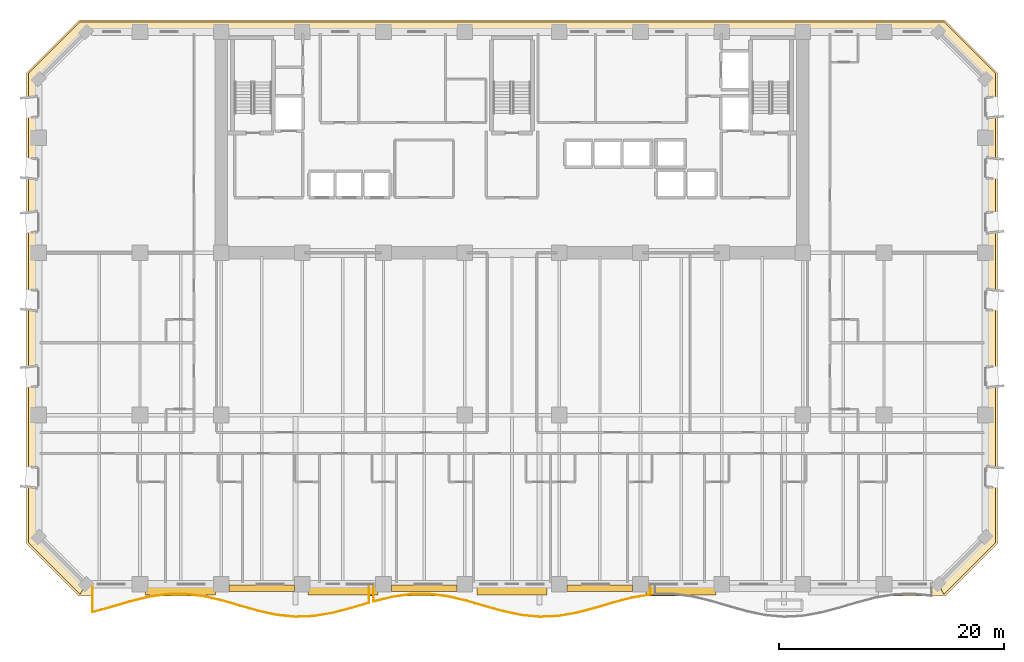
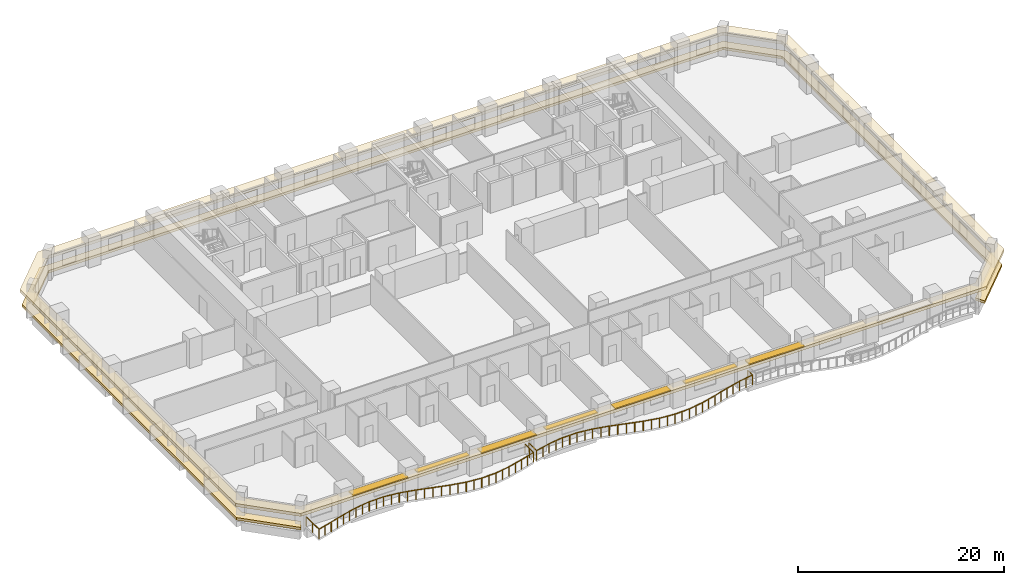
# One storey, part 12 of 15: 7 shading devices, 2 coverings, 2 railings.
"""IFC4 building model written with IfcOpenShell, lengths in metres."""

from ifc_helpers import new_model, si_unit, direction, frame, origin, origin_2d, place, context, subcontext, project, spatial, polyline, rectangle, outline, extrude, material, layer, layer_set, type_object, element, save


model = new_model("IFC4")

# Units and contexts
model_context = context("Model", 3, precision=1e-05, world=origin(), true_north=direction((0.0, 1.0)))
body_context = subcontext(model_context, "Body", "Model", "MODEL_VIEW")
ifc_project = project(units=[si_unit("LENGTHUNIT", "METRE"), si_unit("AREAUNIT", "SQUARE_METRE"), si_unit("VOLUMEUNIT", "CUBIC_METRE"), si_unit("PLANEANGLEUNIT", "RADIAN"), si_unit("MASSUNIT", "GRAM", prefix="KILO")], contexts=[model_context])

# Site, building, storey
site_placement = place(None, origin())
site = spatial("IfcSite", under=ifc_project, at=site_placement, CompositionType="ELEMENT")
building_placement = place(site_placement, origin())
building = spatial("IfcBuilding", under=site, at=building_placement, Name="Kaelvorn Grand Hotel", CompositionType="ELEMENT")
storey_placement = place(building_placement, frame((0.0, 0.0, 57.64990234375)))
storey = spatial("IfcBuildingStorey", under=building, at=storey_placement, Name="L12", CompositionType="ELEMENT", Elevation=57.64990234375)

# Coverings
ifc_material_1 = material(Name="Precast concrete C45/55", Category="concrete")
ifc_layer_1 = layer(ifc_material_1, 0.260009765625)
ifc_layer_set_1 = layer_set([ifc_layer_1], Name="Precast concrete C45/55")
covering_type_1 = type_object("IfcCoveringType", Name="COV-BAND-STREAMLINE-HEAD", PredefinedType="CLADDING", material=ifc_layer_set_1)
covering_1_placement = place(storey_placement, frame((0.0, 0.0, 2.18017578125)))
element("IfcCovering", 1, at=covering_1_placement, inside=storey, type_object=covering_type_1, Name="L12 Streamline Moderne Wraparound Horizontal Eyebrow Band", PredefinedType="CLADDING", context=body_context, shape_type="SweptSolid", body=[
    extrude(outline(polyline([(3.590087890625, -1.050048828125), (80.409912109375, -1.050048828125), (85.050048828125, 3.590087890625), (85.050048828125, 45.409912109375), (80.409912109375, 50.050048828125), (3.590087890625, 50.050048828125), (-1.050048828125, 45.409912109375), (-1.050048828125, 3.590087890625), (3.590087890625, -1.050048828125)]), holes=[polyline([(4.219970703125, 0.030029296875), (79.780029296875, 0.030029296875), (83.969970703125, 4.219970703125), (83.969970703125, 44.780029296875), (79.780029296875, 48.969970703125), (4.219970703125, 48.969970703125), (0.030029296875, 44.780029296875), (0.030029296875, 4.219970703125), (4.219970703125, 0.030029296875)])]), origin(), (0.0, 0.0, 1.0), 0.35986328125),
])
ifc_layer_2 = layer(ifc_material_1, 0.219970703125)
ifc_layer_set_2 = layer_set([ifc_layer_2], Name="Precast concrete C45/55")
covering_type_2 = type_object("IfcCoveringType", Name="COV-BAND-STREAMLINE-SILL", PredefinedType="CLADDING", material=ifc_layer_set_2)
covering_2_placement = place(storey_placement, frame((0.0, 0.0, 0.4501953125)))
element("IfcCovering", 2, at=covering_2_placement, inside=storey, type_object=covering_type_2, Name="L12 Streamline Moderne Wraparound Horizontal Sill Spandrel Band", PredefinedType="CLADDING", context=body_context, shape_type="SweptSolid", body=[
    extrude(outline(polyline([(80.3154296875, -0.8798828125), (84.8798828125, 3.6845703125), (84.8798828125, 45.3154296875), (80.3154296875, 49.8798828125), (3.6845703125, 49.8798828125), (-0.8798828125, 45.3154296875), (-0.8798828125, 3.6845703125), (3.6845703125, -0.8798828125), (4.217529296875, 0.030029296875), (0.030029296875, 4.217529296875), (0.030029296875, 44.782470703125), (4.217529296875, 48.969970703125), (79.782470703125, 48.969970703125), (83.969970703125, 44.782470703125), (83.969970703125, 4.217529296875), (79.782470703125, 0.030029296875), (80.3154296875, -0.8798828125)])), origin(), (0.0, 0.0, 1.0), 0.2998046875),
])

# Railings
ifc_material_2 = material(Name="Stainless Steel", Category="steel")
railing_type = type_object("IfcRailingType", Name="RL-BALC-1150", PredefinedType="BALUSTRADE", material=ifc_material_2)
railing_1_placement = place(storey_placement, frame((4.800048828125, 0.0, 0.0)))
element("IfcRailing", 3, at=railing_1_placement, inside=storey, type_object=railing_type, Name="L12 Scalloped Wave Balcony Balustrade GR1-1", PredefinedType="BALUSTRADE", context=body_context, shape_type="SweptSolid", body=[
    extrude(rectangle(XDim=0.048095703125, YDim=0.048095703125, at=origin_2d()), frame((0.0, 0.0, 1.1259765625), z_axis=(0.0, -1.0, 0.0), x_axis=(1.0, 0.0, 0.0)), (0.0, 0.0, 1.0), 2.4775390625),
    extrude(rectangle(XDim=0.048095703125, YDim=0.048095703125, at=origin_2d()), frame((0.0, -2.4775390625, 1.1259765625), z_axis=(0.964654076127, 0.263519474446, 0.0), x_axis=(-0.263519474446, 0.964654076127, 0.0)), (0.0, 0.0, 1.0), 1.6953125),
    extrude(rectangle(XDim=0.048095703125, YDim=0.048095703125, at=origin_2d()), frame((1.635498046875, -2.03076171875, 1.1259765625), z_axis=(0.959338132824, 0.282259361068, 0.0), x_axis=(-0.282259361068, 0.959338132824, 0.0)), (0.0, 0.0, 1.0), 1.704833984375),
    extrude(rectangle(XDim=0.048095703125, YDim=0.048095703125, at=origin_2d()), frame((3.27099609375, -1.549560546875, 1.1259765625), z_axis=(0.970108421797, 0.242671897751, 0.0), x_axis=(-0.242671897751, 0.970108421797, 0.0)), (0.0, 0.0, 1.0), 1.68603515625),
    extrude(rectangle(XDim=0.048095703125, YDim=0.048095703125, at=origin_2d()), frame((4.90673828125, -1.140380859375, 1.1259765625), z_axis=(0.988889745087, 0.148650839424, 0.0), x_axis=(-0.148650839424, 0.988889745087, 0.0)), (0.0, 0.0, 1.0), 1.65380859375),
    extrude(rectangle(XDim=0.048095703125, YDim=0.048095703125, at=origin_2d()), frame((6.542236328125, -0.89453125, 1.1259765625), z_axis=(0.999852684056, 0.01716421237, 0.0), x_axis=(-0.01716421237, 0.999852684056, 0.0)), (0.0, 0.0, 1.0), 1.6357421875),
    extrude(rectangle(XDim=0.048095703125, YDim=0.048095703125, at=origin_2d()), frame((8.177734375, -0.866455078125, 1.1259765625), z_axis=(0.992892259483, -0.119016641941, 0.0), x_axis=(0.119016641941, 0.992892259483, 0.0)), (0.0, 0.0, 1.0), 1.647216796875),
    extrude(rectangle(XDim=0.048095703125, YDim=0.048095703125, at=origin_2d()), frame((9.813232421875, -1.0625, 1.1259765625), z_axis=(0.974547877033, -0.22417947134, 0.0), x_axis=(0.22417947134, 0.974547877033, 0.0)), (0.0, 0.0, 1.0), 1.67822265625),
    extrude(rectangle(XDim=0.048095703125, YDim=0.048095703125, at=origin_2d()), frame((11.44873046875, -1.438720703125, 1.1259765625), z_axis=(0.960582401259, -0.277995414335, 0.0), x_axis=(0.277995414335, 0.960582401259, 0.0)), (0.0, 0.0, 1.0), 1.702880859375),
    extrude(rectangle(XDim=0.048095703125, YDim=0.048095703125, at=origin_2d()), frame((13.08447265625, -1.912109375, 1.1259765625), z_axis=(0.96186455439, -0.273526194374, 0.0), x_axis=(0.273526194374, 0.96186455439, 0.0)), (0.0, 0.0, 1.0), 1.700439453125),
    extrude(rectangle(XDim=0.048095703125, YDim=0.048095703125, at=origin_2d()), frame((14.719970703125, -2.377197265625, 1.1259765625), z_axis=(0.977427196396, -0.211272515358, 0.0), x_axis=(0.211272515358, 0.977427196396, 0.0)), (0.0, 0.0, 1.0), 1.67333984375),
    extrude(rectangle(XDim=0.048095703125, YDim=0.048095703125, at=origin_2d()), frame((16.35546875, -2.730712890625, 1.1259765625), z_axis=(0.995050417391, -0.099371358297, 0.0), x_axis=(0.099371358297, 0.995050417391, 0.0)), (0.0, 0.0, 1.0), 1.6435546875),
    extrude(rectangle(XDim=0.048095703125, YDim=0.048095703125, at=origin_2d()), frame((17.990966796875, -2.89404296875, 1.1259765625), z_axis=(0.999265134738, 0.03833002084, 0.0), x_axis=(-0.03833002084, 0.999265134738, 0.0)), (0.0, 0.0, 1.0), 1.636962890625),
    extrude(rectangle(XDim=0.048095703125, YDim=0.048095703125, at=origin_2d()), frame((19.626708984375, -2.831298828125, 1.1259765625), z_axis=(0.986118033534, 0.166045848907, 0.0), x_axis=(-0.166045848907, 0.986118033534, 0.0)), (0.0, 0.0, 1.0), 1.658447265625),
    extrude(rectangle(XDim=0.048095703125, YDim=0.048095703125, at=origin_2d()), frame((21.26220703125, -2.555908203125, 1.1259765625), z_axis=(0.96763721046, 0.252345455542, 0.0), x_axis=(-0.252345455542, 0.96763721046, 0.0)), (0.0, 0.0, 1.0), 1.690185546875),
    extrude(rectangle(XDim=0.048095703125, YDim=0.048095703125, at=origin_2d()), frame((22.897705078125, -2.12939453125, 1.1259765625), z_axis=(0.959027432838, 0.2833132243, 0.0), x_axis=(-0.2833132243, 0.959027432838, 0.0)), (0.0, 0.0, 1.0), 1.705322265625),
    extrude(rectangle(XDim=0.048095703125, YDim=0.048095703125, at=origin_2d()), frame((24.533203125, -1.646240234375, 1.1259765625), z_axis=(0.0, 1.0, 0.0), x_axis=(-1.0, 0.0, 0.0)), (0.0, 0.0, 1.0), 1.646240234375),
    extrude(rectangle(XDim=0.0419921875, YDim=0.0419921875, at=origin_2d()), origin(), (0.0, 0.0, 1.0), 1.101806640625),
    extrude(rectangle(XDim=0.0419921875, YDim=0.0419921875, at=origin_2d()), frame((0.0, -1.23876953125, 0.0)), (0.0, 0.0, 1.0), 1.101806640625),
    extrude(rectangle(XDim=0.0419921875, YDim=0.0419921875, at=origin_2d()), frame((0.0, -2.4775390625, 0.0)), (0.0, 0.0, 1.0), 1.101806640625),
    extrude(rectangle(XDim=0.0419921875, YDim=0.0419921875, at=origin_2d()), frame((0.81787109375, -2.254150390625, 0.0)), (0.0, 0.0, 1.0), 1.101806640625),
    extrude(rectangle(XDim=0.0419921875, YDim=0.0419921875, at=origin_2d()), frame((1.635498046875, -2.03076171875, 0.0)), (0.0, 0.0, 1.0), 1.101806640625),
    extrude(rectangle(XDim=0.0419921875, YDim=0.0419921875, at=origin_2d()), frame((2.453125, -1.7900390625, 0.0)), (0.0, 0.0, 1.0), 1.101806640625),
    extrude(rectangle(XDim=0.0419921875, YDim=0.0419921875, at=origin_2d()), frame((3.27099609375, -1.549560546875, 0.0)), (0.0, 0.0, 1.0), 1.101806640625),
    extrude(rectangle(XDim=0.0419921875, YDim=0.0419921875, at=origin_2d()), frame((4.0888671875, -1.344970703125, 0.0)), (0.0, 0.0, 1.0), 1.101806640625),
    extrude(rectangle(XDim=0.0419921875, YDim=0.0419921875, at=origin_2d()), frame((4.90673828125, -1.140380859375, 0.0)), (0.0, 0.0, 1.0), 1.101806640625),
    extrude(rectangle(XDim=0.0419921875, YDim=0.0419921875, at=origin_2d()), frame((5.724609375, -1.017578125, 0.0)), (0.0, 0.0, 1.0), 1.101806640625),
    extrude(rectangle(XDim=0.0419921875, YDim=0.0419921875, at=origin_2d()), frame((6.542236328125, -0.89453125, 0.0)), (0.0, 0.0, 1.0), 1.101806640625),
    extrude(rectangle(XDim=0.0419921875, YDim=0.0419921875, at=origin_2d()), frame((7.35986328125, -0.88037109375, 0.0)), (0.0, 0.0, 1.0), 1.101806640625),
    extrude(rectangle(XDim=0.0419921875, YDim=0.0419921875, at=origin_2d()), frame((8.177734375, -0.866455078125, 0.0)), (0.0, 0.0, 1.0), 1.101806640625),
    extrude(rectangle(XDim=0.0419921875, YDim=0.0419921875, at=origin_2d()), frame((8.99560546875, -0.96435546875, 0.0)), (0.0, 0.0, 1.0), 1.101806640625),
    extrude(rectangle(XDim=0.0419921875, YDim=0.0419921875, at=origin_2d()), frame((9.813232421875, -1.0625, 0.0)), (0.0, 0.0, 1.0), 1.101806640625),
    extrude(rectangle(XDim=0.0419921875, YDim=0.0419921875, at=origin_2d()), frame((10.630859375, -1.25048828125, 0.0)), (0.0, 0.0, 1.0), 1.101806640625),
    extrude(rectangle(XDim=0.0419921875, YDim=0.0419921875, at=origin_2d()), frame((11.44873046875, -1.438720703125, 0.0)), (0.0, 0.0, 1.0), 1.101806640625),
    extrude(rectangle(XDim=0.0419921875, YDim=0.0419921875, at=origin_2d()), frame((12.2666015625, -1.67529296875, 0.0)), (0.0, 0.0, 1.0), 1.101806640625),
    extrude(rectangle(XDim=0.0419921875, YDim=0.0419921875, at=origin_2d()), frame((13.08447265625, -1.912109375, 0.0)), (0.0, 0.0, 1.0), 1.101806640625),
    extrude(rectangle(XDim=0.0419921875, YDim=0.0419921875, at=origin_2d()), frame((13.90234375, -2.14453125, 0.0)), (0.0, 0.0, 1.0), 1.101806640625),
    extrude(rectangle(XDim=0.0419921875, YDim=0.0419921875, at=origin_2d()), frame((14.719970703125, -2.377197265625, 0.0)), (0.0, 0.0, 1.0), 1.101806640625),
    extrude(rectangle(XDim=0.0419921875, YDim=0.0419921875, at=origin_2d()), frame((15.53759765625, -2.553955078125, 0.0)), (0.0, 0.0, 1.0), 1.101806640625),
    extrude(rectangle(XDim=0.0419921875, YDim=0.0419921875, at=origin_2d()), frame((16.35546875, -2.730712890625, 0.0)), (0.0, 0.0, 1.0), 1.101806640625),
    extrude(rectangle(XDim=0.0419921875, YDim=0.0419921875, at=origin_2d()), frame((17.17333984375, -2.8125, 0.0)), (0.0, 0.0, 1.0), 1.101806640625),
    extrude(rectangle(XDim=0.0419921875, YDim=0.0419921875, at=origin_2d()), frame((17.990966796875, -2.89404296875, 0.0)), (0.0, 0.0, 1.0), 1.101806640625),
    extrude(rectangle(XDim=0.0419921875, YDim=0.0419921875, at=origin_2d()), frame((18.808837890625, -2.86279296875, 0.0)), (0.0, 0.0, 1.0), 1.101806640625),
    extrude(rectangle(XDim=0.0419921875, YDim=0.0419921875, at=origin_2d()), frame((19.626708984375, -2.831298828125, 0.0)), (0.0, 0.0, 1.0), 1.101806640625),
    extrude(rectangle(XDim=0.0419921875, YDim=0.0419921875, at=origin_2d()), frame((20.4443359375, -2.693603515625, 0.0)), (0.0, 0.0, 1.0), 1.101806640625),
    extrude(rectangle(XDim=0.0419921875, YDim=0.0419921875, at=origin_2d()), frame((21.26220703125, -2.555908203125, 0.0)), (0.0, 0.0, 1.0), 1.101806640625),
    extrude(rectangle(XDim=0.0419921875, YDim=0.0419921875, at=origin_2d()), frame((22.080078125, -2.3427734375, 0.0)), (0.0, 0.0, 1.0), 1.101806640625),
    extrude(rectangle(XDim=0.0419921875, YDim=0.0419921875, at=origin_2d()), frame((22.897705078125, -2.12939453125, 0.0)), (0.0, 0.0, 1.0), 1.101806640625),
    extrude(rectangle(XDim=0.0419921875, YDim=0.0419921875, at=origin_2d()), frame((23.71533203125, -1.8876953125, 0.0)), (0.0, 0.0, 1.0), 1.101806640625),
    extrude(rectangle(XDim=0.0419921875, YDim=0.0419921875, at=origin_2d()), frame((24.533203125, -1.646240234375, 0.0)), (0.0, 0.0, 1.0), 1.101806640625),
    extrude(rectangle(XDim=0.0419921875, YDim=0.0419921875, at=origin_2d()), frame((24.533203125, -0.8232421875, 0.0)), (0.0, 0.0, 1.0), 1.101806640625),
    extrude(rectangle(XDim=0.0419921875, YDim=0.0419921875, at=origin_2d()), frame((24.533203125, 0.0, 0.0)), (0.0, 0.0, 1.0), 1.101806640625),
])
railing_2_placement = place(storey_placement, frame((29.7333984375, 0.0, 0.0)))
element("IfcRailing", 4, at=railing_2_placement, inside=storey, type_object=railing_type, Name="L12 Scalloped Wave Balcony Balustrade GR1-2", PredefinedType="BALUSTRADE", context=body_context, shape_type="SweptSolid", body=[
    extrude(rectangle(XDim=0.048095703125, YDim=0.048095703125, at=origin_2d()), frame((0.0, 0.0, 1.1259765625), z_axis=(0.0, -1.0, 0.0), x_axis=(1.0, 0.0, 0.0)), (0.0, 0.0, 1.0), 1.531982421875),
    extrude(rectangle(XDim=0.048095703125, YDim=0.048095703125, at=origin_2d()), frame((0.0, -1.531982421875, 1.1259765625), z_axis=(0.970778455787, 0.239977477651, 0.0), x_axis=(-0.239977477651, 0.970778455787, 0.0)), (0.0, 0.0, 1.0), 1.684814453125),
    extrude(rectangle(XDim=0.048095703125, YDim=0.048095703125, at=origin_2d()), frame((1.635498046875, -1.127685546875, 1.1259765625), z_axis=(0.989552746823, 0.144171291372, 0.0), x_axis=(-0.144171291372, 0.989552746823, 0.0)), (0.0, 0.0, 1.0), 1.65283203125),
    extrude(rectangle(XDim=0.048095703125, YDim=0.048095703125, at=origin_2d()), frame((3.27099609375, -0.889404296875, 1.1259765625), z_axis=(0.999928700978, 0.011941229449, 0.0), x_axis=(-0.011941229449, 0.999928700978, 0.0)), (0.0, 0.0, 1.0), 1.635498046875),
    extrude(rectangle(XDim=0.048095703125, YDim=0.048095703125, at=origin_2d()), frame((4.906494140625, -0.869873046875, 1.1259765625), z_axis=(0.992305195112, -0.12381599151, 0.0), x_axis=(0.12381599151, 0.992305195112, 0.0)), (0.0, 0.0, 1.0), 1.6484375),
    extrude(rectangle(XDim=0.048095703125, YDim=0.048095703125, at=origin_2d()), frame((6.542236328125, -1.073974609375, 1.1259765625), z_axis=(0.973844426508, -0.227215829024, 0.0), x_axis=(0.227215829024, 0.973844426508, 0.0)), (0.0, 0.0, 1.0), 1.679443359375),
    extrude(rectangle(XDim=0.048095703125, YDim=0.048095703125, at=origin_2d()), frame((8.177734375, -1.45556640625, 1.1259765625), z_axis=(0.960302879925, -0.278959457282, 0.0), x_axis=(0.278959457282, 0.960302879925, 0.0)), (0.0, 0.0, 1.0), 1.703125),
    extrude(rectangle(XDim=0.048095703125, YDim=0.048095703125, at=origin_2d()), frame((9.813232421875, -1.9306640625, 1.1259765625), z_axis=(0.962241545122, -0.272197003733, 0.0), x_axis=(0.272197003733, 0.962241545122, 0.0)), (0.0, 0.0, 1.0), 1.69970703125),
    extrude(rectangle(XDim=0.048095703125, YDim=0.048095703125, at=origin_2d()), frame((11.44873046875, -2.393310546875, 1.1259765625), z_axis=(0.978181108295, -0.207753987627, 0.0), x_axis=(0.207753987627, 0.978181108295, 0.0)), (0.0, 0.0, 1.0), 1.672119140625),
    extrude(rectangle(XDim=0.048095703125, YDim=0.048095703125, at=origin_2d()), frame((13.08447265625, -2.74072265625, 1.1259765625), z_axis=(0.995523480824, -0.09451454453, 0.0), x_axis=(0.09451454453, 0.995523480824, 0.0)), (0.0, 0.0, 1.0), 1.642822265625),
    extrude(rectangle(XDim=0.048095703125, YDim=0.048095703125, at=origin_2d()), frame((14.719970703125, -2.89599609375, 1.1259765625), z_axis=(0.999044869462, 0.043696095948, 0.0), x_axis=(-0.043696095948, 0.999044869462, 0.0)), (0.0, 0.0, 1.0), 1.636962890625),
    extrude(rectangle(XDim=0.048095703125, YDim=0.048095703125, at=origin_2d()), frame((16.35546875, -2.824462890625, 1.1259765625), z_axis=(0.985410815118, 0.170192612792, 0.0), x_axis=(-0.170192612792, 0.985410815118, 0.0)), (0.0, 0.0, 1.0), 1.65966796875),
    extrude(rectangle(XDim=0.048095703125, YDim=0.048095703125, at=origin_2d()), frame((17.990966796875, -2.5419921875, 1.1259765625), z_axis=(0.967044616589, 0.254606970696, 0.0), x_axis=(-0.254606970696, 0.967044616589, 0.0)), (0.0, 0.0, 1.0), 1.69140625),
    extrude(rectangle(XDim=0.048095703125, YDim=0.048095703125, at=origin_2d()), frame((19.626708984375, -2.111328125, 1.1259765625), z_axis=(0.959066322629, 0.283181547419, 0.0), x_axis=(-0.283181547419, 0.959066322629, 0.0)), (0.0, 0.0, 1.0), 1.705322265625),
    extrude(rectangle(XDim=0.048095703125, YDim=0.048095703125, at=origin_2d()), frame((21.26220703125, -1.62841796875, 1.1259765625), z_axis=(0.967354524972, 0.253426957953, 0.0), x_axis=(-0.253426957953, 0.967354524972, 0.0)), (0.0, 0.0, 1.0), 1.690673828125),
    extrude(rectangle(XDim=0.048095703125, YDim=0.048095703125, at=origin_2d()), frame((22.897705078125, -1.199951171875, 1.1259765625), z_axis=(0.985827384416, 0.167762832995, 0.0), x_axis=(-0.167762832995, 0.985827384416, 0.0)), (0.0, 0.0, 1.0), 1.658935546875),
    extrude(rectangle(XDim=0.048095703125, YDim=0.048095703125, at=origin_2d()), frame((24.533203125, -0.921630859375, 1.1259765625), z_axis=(0.0, 1.0, 0.0), x_axis=(-1.0, 0.0, 0.0)), (0.0, 0.0, 1.0), 0.921630859375),
    extrude(rectangle(XDim=0.0419921875, YDim=0.0419921875, at=origin_2d()), origin(), (0.0, 0.0, 1.0), 1.101806640625),
    extrude(rectangle(XDim=0.0419921875, YDim=0.0419921875, at=origin_2d()), frame((0.0, -1.531982421875, 0.0)), (0.0, 0.0, 1.0), 1.101806640625),
    extrude(rectangle(XDim=0.0419921875, YDim=0.0419921875, at=origin_2d()), frame((0.81787109375, -1.329833984375, 0.0)), (0.0, 0.0, 1.0), 1.101806640625),
    extrude(rectangle(XDim=0.0419921875, YDim=0.0419921875, at=origin_2d()), frame((1.635498046875, -1.127685546875, 0.0)), (0.0, 0.0, 1.0), 1.101806640625),
    extrude(rectangle(XDim=0.0419921875, YDim=0.0419921875, at=origin_2d()), frame((2.453125, -1.008544921875, 0.0)), (0.0, 0.0, 1.0), 1.101806640625),
    extrude(rectangle(XDim=0.0419921875, YDim=0.0419921875, at=origin_2d()), frame((3.27099609375, -0.889404296875, 0.0)), (0.0, 0.0, 1.0), 1.101806640625),
    extrude(rectangle(XDim=0.0419921875, YDim=0.0419921875, at=origin_2d()), frame((4.0888671875, -0.879638671875, 0.0)), (0.0, 0.0, 1.0), 1.101806640625),
    extrude(rectangle(XDim=0.0419921875, YDim=0.0419921875, at=origin_2d()), frame((4.906494140625, -0.869873046875, 0.0)), (0.0, 0.0, 1.0), 1.101806640625),
    extrude(rectangle(XDim=0.0419921875, YDim=0.0419921875, at=origin_2d()), frame((5.724365234375, -0.971923828125, 0.0)), (0.0, 0.0, 1.0), 1.101806640625),
    extrude(rectangle(XDim=0.0419921875, YDim=0.0419921875, at=origin_2d()), frame((6.542236328125, -1.073974609375, 0.0)), (0.0, 0.0, 1.0), 1.101806640625),
    extrude(rectangle(XDim=0.0419921875, YDim=0.0419921875, at=origin_2d()), frame((7.35986328125, -1.2646484375, 0.0)), (0.0, 0.0, 1.0), 1.101806640625),
    extrude(rectangle(XDim=0.0419921875, YDim=0.0419921875, at=origin_2d()), frame((8.177734375, -1.45556640625, 0.0)), (0.0, 0.0, 1.0), 1.101806640625),
    extrude(rectangle(XDim=0.0419921875, YDim=0.0419921875, at=origin_2d()), frame((8.99560546875, -1.693115234375, 0.0)), (0.0, 0.0, 1.0), 1.101806640625),
    extrude(rectangle(XDim=0.0419921875, YDim=0.0419921875, at=origin_2d()), frame((9.813232421875, -1.9306640625, 0.0)), (0.0, 0.0, 1.0), 1.101806640625),
    extrude(rectangle(XDim=0.0419921875, YDim=0.0419921875, at=origin_2d()), frame((10.630859375, -2.162109375, 0.0)), (0.0, 0.0, 1.0), 1.101806640625),
    extrude(rectangle(XDim=0.0419921875, YDim=0.0419921875, at=origin_2d()), frame((11.44873046875, -2.393310546875, 0.0)), (0.0, 0.0, 1.0), 1.101806640625),
    extrude(rectangle(XDim=0.0419921875, YDim=0.0419921875, at=origin_2d()), frame((12.2666015625, -2.56689453125, 0.0)), (0.0, 0.0, 1.0), 1.101806640625),
    extrude(rectangle(XDim=0.0419921875, YDim=0.0419921875, at=origin_2d()), frame((13.08447265625, -2.74072265625, 0.0)), (0.0, 0.0, 1.0), 1.101806640625),
    extrude(rectangle(XDim=0.0419921875, YDim=0.0419921875, at=origin_2d()), frame((13.90234375, -2.818359375, 0.0)), (0.0, 0.0, 1.0), 1.101806640625),
    extrude(rectangle(XDim=0.0419921875, YDim=0.0419921875, at=origin_2d()), frame((14.719970703125, -2.89599609375, 0.0)), (0.0, 0.0, 1.0), 1.101806640625),
    extrude(rectangle(XDim=0.0419921875, YDim=0.0419921875, at=origin_2d()), frame((15.53759765625, -2.8603515625, 0.0)), (0.0, 0.0, 1.0), 1.101806640625),
    extrude(rectangle(XDim=0.0419921875, YDim=0.0419921875, at=origin_2d()), frame((16.35546875, -2.824462890625, 0.0)), (0.0, 0.0, 1.0), 1.101806640625),
    extrude(rectangle(XDim=0.0419921875, YDim=0.0419921875, at=origin_2d()), frame((17.17333984375, -2.68310546875, 0.0)), (0.0, 0.0, 1.0), 1.101806640625),
    extrude(rectangle(XDim=0.0419921875, YDim=0.0419921875, at=origin_2d()), frame((17.990966796875, -2.5419921875, 0.0)), (0.0, 0.0, 1.0), 1.101806640625),
    extrude(rectangle(XDim=0.0419921875, YDim=0.0419921875, at=origin_2d()), frame((18.808837890625, -2.32666015625, 0.0)), (0.0, 0.0, 1.0), 1.101806640625),
    extrude(rectangle(XDim=0.0419921875, YDim=0.0419921875, at=origin_2d()), frame((19.626708984375, -2.111328125, 0.0)), (0.0, 0.0, 1.0), 1.101806640625),
    extrude(rectangle(XDim=0.0419921875, YDim=0.0419921875, at=origin_2d()), frame((20.4443359375, -1.869873046875, 0.0)), (0.0, 0.0, 1.0), 1.101806640625),
    extrude(rectangle(XDim=0.0419921875, YDim=0.0419921875, at=origin_2d()), frame((21.26220703125, -1.62841796875, 0.0)), (0.0, 0.0, 1.0), 1.101806640625),
    extrude(rectangle(XDim=0.0419921875, YDim=0.0419921875, at=origin_2d()), frame((22.080078125, -1.4140625, 0.0)), (0.0, 0.0, 1.0), 1.101806640625),
    extrude(rectangle(XDim=0.0419921875, YDim=0.0419921875, at=origin_2d()), frame((22.897705078125, -1.199951171875, 0.0)), (0.0, 0.0, 1.0), 1.101806640625),
    extrude(rectangle(XDim=0.0419921875, YDim=0.0419921875, at=origin_2d()), frame((23.71533203125, -1.060791015625, 0.0)), (0.0, 0.0, 1.0), 1.101806640625),
    extrude(rectangle(XDim=0.0419921875, YDim=0.0419921875, at=origin_2d()), frame((24.533203125, -0.921630859375, 0.0)), (0.0, 0.0, 1.0), 1.101806640625),
    extrude(rectangle(XDim=0.0419921875, YDim=0.0419921875, at=origin_2d()), frame((24.533203125, 0.0, 0.0)), (0.0, 0.0, 1.0), 1.101806640625),
])

# Shading devices
ifc_layer_3 = layer(ifc_material_1, 0.1201171875)
ifc_layer_set_3 = layer_set([ifc_layer_3], Name="Precast concrete C45/55")
shading_device_type_1 = type_object("IfcShadingDeviceType", Name="SHD-SUNSHADE-550", PredefinedType="USERDEFINED", material=ifc_layer_set_3)
for number, where, z_axis, x_axis, name in (
    (5, (19.800048828125, -0.364990234375, 2.419921875), (0.0, 0.0, 1.0), (1.0, 0.0, 0.0), "L12 Horizontal Concrete Sunshade Band SS-03"),
    (6, (34.199951171875, -0.364990234375, 2.419921875), (0.0, 0.0, 1.0), (1.0, 0.0, 0.0), "L12 Horizontal Concrete Sunshade Band SS-05"),
    (7, (49.800048828125, -0.364990234375, 2.419921875), (0.0, 0.0, 1.0), (1.0, 0.0, 0.0), "L12 Horizontal Concrete Sunshade Band SS-07"),
):
    element("IfcShadingDevice", number, at=place(storey_placement, frame(where, z_axis=z_axis, x_axis=x_axis)), inside=storey, type_object=shading_device_type_1, Name=name, ObjectType="SUNSHADE", PredefinedType="USERDEFINED", context=body_context, shape_type="SweptSolid", body=[
        extrude(rectangle(XDim=5.800048828125, YDim=0.550048828125, at=origin_2d()), origin(), (0.0, 0.0, 1.0), 0.1201171875),
    ])
ifc_layer_4 = layer(ifc_material_1, 0.139892578125)
ifc_layer_set_4 = layer_set([ifc_layer_4], Name="Precast concrete C45/55")
shading_device_type_2 = type_object("IfcShadingDeviceType", Name="SHD-SUNSHADE-850", PredefinedType="USERDEFINED", material=ifc_layer_set_4)
for number, where, z_axis, x_axis, name in (
    (8, (12.60009765625, -0.514892578125, 2.41015625), (0.0, 0.0, 1.0), (1.0, 0.0, 0.0), "L12 Horizontal Concrete Sunshade Band SS-02"),
    (9, (27.0, -0.514892578125, 2.41015625), (0.0, 0.0, 1.0), (1.0, 0.0, 0.0), "L12 Horizontal Concrete Sunshade Band SS-04"),
    (10, (42.0, -0.514892578125, 2.41015625), (0.0, 0.0, 1.0), (1.0, 0.0, 0.0), "L12 Horizontal Concrete Sunshade Band SS-06"),
    (11, (57.0, -0.514892578125, 2.41015625), (0.0, 0.0, 1.0), (1.0, 0.0, 0.0), "L12 Horizontal Concrete Sunshade Band SS-08"),
):
    element("IfcShadingDevice", number, at=place(storey_placement, frame(where, z_axis=z_axis, x_axis=x_axis)), inside=storey, type_object=shading_device_type_2, Name=name, ObjectType="SUNSHADE", PredefinedType="USERDEFINED", context=body_context, shape_type="SweptSolid", body=[
        extrude(rectangle(XDim=6.199951171875, YDim=0.85009765625, at=origin_2d()), origin(), (0.0, 0.0, 1.0), 0.139892578125),
    ])

save(model, "model.ifc")
